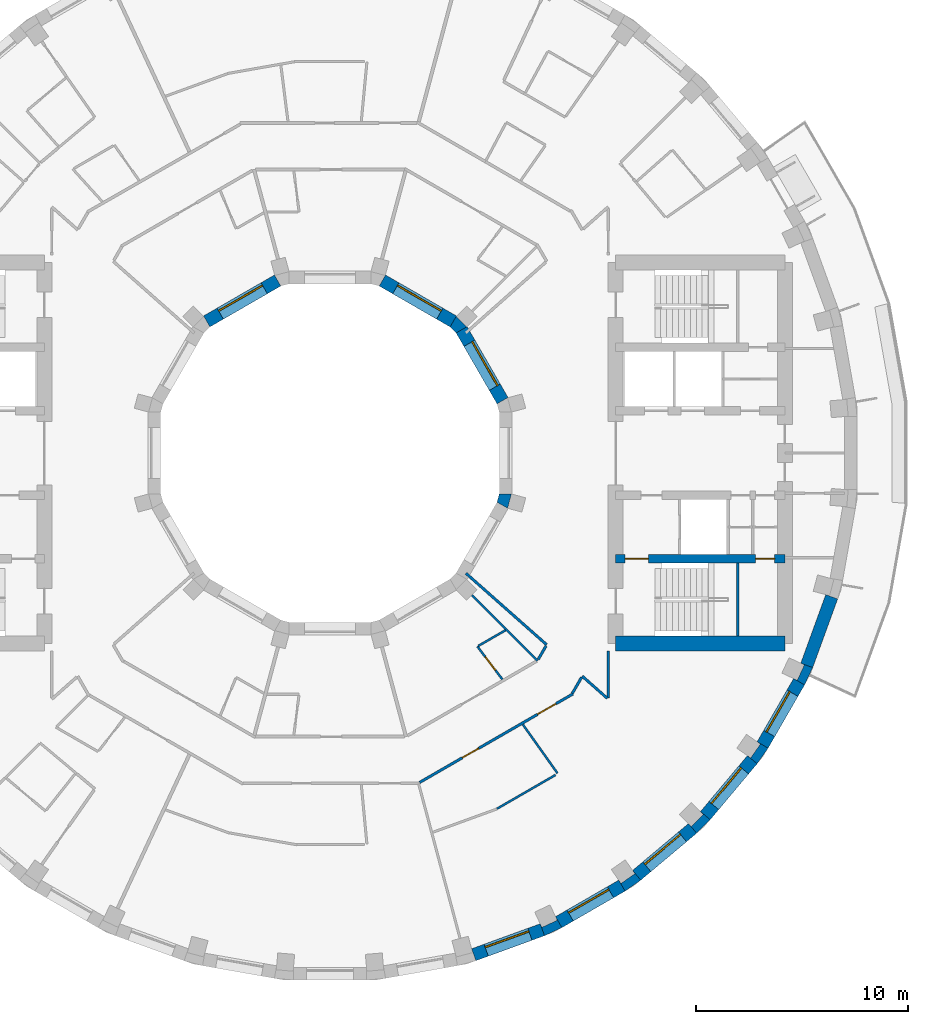
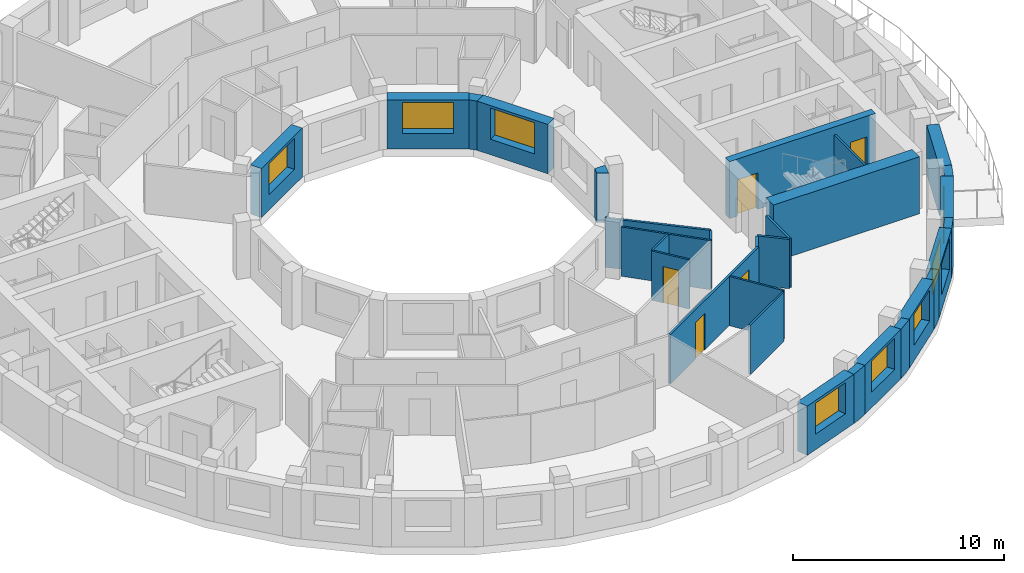
# One storey, part 5 of 11: 30 walls, 8 windows, 5 doors, 13 openings.
"""IFC4 building model written with IfcOpenShell, lengths in metres."""

from ifc_helpers import new_model, si_unit, direction, frame, frame_2d, origin, place, context, subcontext, project, spatial, polyline, rectangle, outline, extrude, material, layer, layer_set, type_object, element, fill, save


model = new_model("IFC4")

# Units and contexts
model_context = context("Model", 3, precision=1e-05, world=origin(), true_north=direction((0.0, 1.0)))
body_context = subcontext(model_context, "Body", "Model", "MODEL_VIEW")
ifc_project = project(units=[si_unit("LENGTHUNIT", "METRE"), si_unit("AREAUNIT", "SQUARE_METRE"), si_unit("VOLUMEUNIT", "CUBIC_METRE"), si_unit("PLANEANGLEUNIT", "RADIAN"), si_unit("MASSUNIT", "GRAM", prefix="KILO")], contexts=[model_context])

# Site, building, storey
site_placement = place(None, origin())
site = spatial("IfcSite", under=ifc_project, at=site_placement, CompositionType="ELEMENT")
building_placement = place(site_placement, origin())
building = spatial("IfcBuilding", under=site, at=building_placement, Name="Saqina Gate Tower", CompositionType="ELEMENT")
storey_placement = place(building_placement, frame((0.0, 0.0, 183.89990234375)))
storey = spatial("IfcBuildingStorey", under=building, at=storey_placement, Name="L52", CompositionType="ELEMENT", Elevation=183.89990234375)

# Walls
ifc_material_1 = material(Name="Brick masonry (buff)", Category="masonry")
wall_type_1 = type_object("IfcWallType", Name="BRICK PIER COPING BUFF", PredefinedType="SOLIDWALL", material=ifc_material_1)
wall_1_placement = place(storey_placement, origin())
element("IfcWall", 1, at=wall_1_placement, inside=storey, type_object=wall_type_1, Name="Pier cap L52 column 30", PredefinedType="SOLIDWALL", context=body_context, shape_type="SweptSolid", body=[
    extrude(outline(polyline([(10.958740234375, -22.4306640625), (10.65869140625, -21.9111328125), (10.73779296875, -22.080810546875), (10.0126953125, -22.4189453125), (9.93359375, -22.249267578125), (10.138916015625, -22.81298828125), (10.958740234375, -22.4306640625)])), origin(), (0.0, 0.0, 1.0), 2.85009765625),
])
wall_2_placement = place(storey_placement, origin())
element("IfcWall", 2, at=wall_2_placement, inside=storey, type_object=wall_type_1, Name="Pier cap L52 column 31", PredefinedType="SOLIDWALL", context=body_context, shape_type="SweptSolid", body=[
    extrude(outline(polyline([(13.9462890625, -20.705810546875), (14.687255859375, -20.18701171875), (14.301513671875, -19.727294921875), (14.408935546875, -19.880859375), (13.753662109375, -20.339599609375), (13.646240234375, -20.186279296875), (13.9462890625, -20.705810546875)])), origin(), (0.0, 0.0, 1.0), 2.85009765625),
])
wall_3_placement = place(storey_placement, origin())
element("IfcWall", 3, at=wall_3_placement, inside=storey, type_object=wall_type_1, Name="Pier cap L52 column 32", PredefinedType="SOLIDWALL", context=body_context, shape_type="SweptSolid", body=[
    extrude(outline(polyline([(17.969482421875, -17.329833984375), (17.510009765625, -16.944091796875), (17.642333984375, -17.07666015625), (17.07666015625, -17.642333984375), (16.944091796875, -17.510009765625), (17.329833984375, -17.969482421875), (17.969482421875, -17.329833984375)])), origin(), (0.0, 0.0, 1.0), 2.85009765625),
])
wall_4_placement = place(storey_placement, origin())
element("IfcWall", 4, at=wall_4_placement, inside=storey, type_object=wall_type_1, Name="Pier cap L52 column 33", PredefinedType="SOLIDWALL", context=body_context, shape_type="SweptSolid", body=[
    extrude(outline(polyline([(20.18701171875, -14.687255859375), (20.705810546875, -13.9462890625), (20.186279296875, -13.646240234375), (20.339599609375, -13.753662109375), (19.880859375, -14.408935546875), (19.727294921875, -14.301513671875), (20.18701171875, -14.687255859375)])), origin(), (0.0, 0.0, 1.0), 2.85009765625),
])
wall_5_placement = place(storey_placement, origin())
element("IfcWall", 5, at=wall_5_placement, inside=storey, type_object=wall_type_1, Name="Pier cap L52 column 34", PredefinedType="SOLIDWALL", context=body_context, shape_type="SweptSolid", body=[
    extrude(outline(polyline([(22.81298828125, -10.138916015625), (22.249267578125, -9.93359375), (22.4189453125, -10.0126953125), (22.080810546875, -10.73779296875), (21.9111328125, -10.65869140625), (22.4306640625, -10.958740234375), (22.81298828125, -10.138916015625)])), origin(), (0.0, 0.0, 1.0), 2.85009765625),
])

# Wall, opening, window
ifc_material_2 = material(Name="Brick masonry (buff)", Category="masonry")
ifc_layer_1 = layer(ifc_material_2, 0.60009765625)
ifc_layer_set_1 = layer_set([ifc_layer_1], Name="FW-BRICK-BUFF")
wall_type_2 = type_object("IfcWallType", Name="FW-BRICK-BUFF", PredefinedType="SOLIDWALL", material=ifc_layer_set_1)
wall_6_placement = place(storey_placement, frame((6.79443359375, -23.7109375, 0.0), z_axis=(0.0, 0.0, 1.0), x_axis=(0.93968799822, 0.342032843455, 0.0)))
wall_6 = element("IfcWall", 6, at=wall_6_placement, inside=storey, type_object=wall_type_2, Name="Facade wall L52 facet 29", PredefinedType="SOLIDWALL", context=body_context, shape_type="SweptSolid", body=[
    extrude(rectangle(XDim=3.44970703125, YDim=0.60009765625, at=frame_2d((1.724853515625, 0.0))), origin(), (0.0, 0.0, 1.0), 2.85009765625),
])
opening_1_placement = place(wall_6_placement, frame((0.625, 0.0, 0.89990234375)))
opening_1 = element("IfcOpeningElement", 7, at=opening_1_placement, cuts=wall_6, Name="Opening G15-W21", PredefinedType="OPENING", context=body_context, shape_type="SweptSolid", body=[
    extrude(rectangle(XDim=2.199951171875, YDim=1.800048828125, at=frame_2d((1.10009765625, 0.89990234375))), frame((0.0, 0.31201171875, 0.0), z_axis=(0.0, -1.0, 0.0), x_axis=(1.0, 0.0, 0.0)), (0.0, 0.0, 1.0), 0.6240234375),
])
ifc_material_3 = material(Name="Aluminium glazing", Category="aluminium")
window_type_1 = type_object("IfcWindowType", Name="WN-C", PartitioningType="SINGLE_PANEL", PredefinedType="WINDOW", material=ifc_material_3)
window_1_placement = place(opening_1_placement, origin())
window_1 = element("IfcWindow", 8, at=window_1_placement, inside=storey, type_object=window_type_1, Name="Window L52 facet 29", OverallHeight=1.800048828125, OverallWidth=2.199951171875, PartitioningType="SINGLE_PANEL", PredefinedType="WINDOW", context=body_context, shape_type="SweptSolid", body=[
    extrude(rectangle(XDim=2.199951171875, YDim=1.800048828125, at=frame_2d((1.10009765625, 0.89990234375))), frame((0.0, 0.179931640625, 0.0), z_axis=(0.0, -1.0, 0.0), x_axis=(1.0, 0.0, 0.0)), (0.0, 0.0, 1.0), 0.06005859375),
])
fill(opening_1, window_1)

wall_7_placement = place(storey_placement, frame((10.80859375, -22.1708984375, 0.0), z_axis=(0.0, 0.0, 1.0), x_axis=(0.86602648383, 0.499998129301, 0.0)))
wall_7 = element("IfcWall", 9, at=wall_7_placement, inside=storey, type_object=wall_type_2, Name="Facade wall L52 facet 30", PredefinedType="SOLIDWALL", context=body_context, shape_type="SweptSolid", body=[
    extrude(rectangle(XDim=3.44970703125, YDim=0.60009765625, at=frame_2d((1.724853515625, 0.0))), origin(), (0.0, 0.0, 1.0), 2.85009765625),
])
opening_2_placement = place(wall_7_placement, frame((0.625, 0.0, 0.89990234375)))
opening_2 = element("IfcOpeningElement", 10, at=opening_2_placement, cuts=wall_7, Name="Opening G15-W22", PredefinedType="OPENING", context=body_context, shape_type="SweptSolid", body=[
    extrude(rectangle(XDim=2.199951171875, YDim=1.800048828125, at=frame_2d((1.10009765625, 0.89990234375))), frame((0.0, 0.31201171875, 0.0), z_axis=(0.0, -1.0, 0.0), x_axis=(1.0, 0.0, 0.0)), (0.0, 0.0, 1.0), 0.6240234375),
])
window_2_placement = place(opening_2_placement, origin())
window_2 = element("IfcWindow", 11, at=window_2_placement, inside=storey, type_object=window_type_1, Name="Window L52 facet 30", OverallHeight=1.800048828125, OverallWidth=2.199951171875, PartitioningType="SINGLE_PANEL", PredefinedType="WINDOW", context=body_context, shape_type="SweptSolid", body=[
    extrude(rectangle(XDim=2.199951171875, YDim=1.800048828125, at=frame_2d((1.10009765625, 0.89990234375))), frame((0.0, 0.179931640625, 0.0), z_axis=(0.0, -1.0, 0.0), x_axis=(1.0, 0.0, 0.0)), (0.0, 0.0, 1.0), 0.06005859375),
])
fill(opening_2, window_2)

wall_8_placement = place(storey_placement, frame((14.494384765625, -19.95703125, 0.0), z_axis=(0.0, 0.0, 1.0), x_axis=(0.766058884809, 0.642770398358, 0.0)))
wall_8 = element("IfcWall", 12, at=wall_8_placement, inside=storey, type_object=wall_type_2, Name="Facade wall L52 facet 31", PredefinedType="SOLIDWALL", context=body_context, shape_type="SweptSolid", body=[
    extrude(rectangle(XDim=3.449462890625, YDim=0.60009765625, at=frame_2d((1.724609375, 0.0))), origin(), (0.0, 0.0, 1.0), 2.85009765625),
])
opening_3_placement = place(wall_8_placement, frame((0.625, 0.0, 0.89990234375)))
opening_3 = element("IfcOpeningElement", 13, at=opening_3_placement, cuts=wall_8, Name="Opening G15-W23", PredefinedType="OPENING", context=body_context, shape_type="SweptSolid", body=[
    extrude(rectangle(XDim=2.199951171875, YDim=1.800048828125, at=frame_2d((1.10009765625, 0.89990234375))), frame((0.0, 0.31201171875, 0.0), z_axis=(0.0, -1.0, 0.0), x_axis=(1.0, 0.0, 0.0)), (0.0, 0.0, 1.0), 0.6240234375),
])
window_3_placement = place(opening_3_placement, origin())
window_3 = element("IfcWindow", 14, at=window_3_placement, inside=storey, type_object=window_type_1, Name="Window L52 facet 31", OverallHeight=1.800048828125, OverallWidth=2.199951171875, PartitioningType="SINGLE_PANEL", PredefinedType="WINDOW", context=body_context, shape_type="SweptSolid", body=[
    extrude(rectangle(XDim=2.199951171875, YDim=1.800048828125, at=frame_2d((1.10009765625, 0.89990234375))), frame((0.0, 0.179931640625, 0.0), z_axis=(0.0, -1.0, 0.0), x_axis=(1.0, 0.0, 0.0)), (0.0, 0.0, 1.0), 0.06005859375),
])
fill(opening_3, window_3)

wall_9_placement = place(storey_placement, frame((17.73974609375, -17.136962890625, 0.0), z_axis=(0.0, 0.0, 1.0), x_axis=(0.642770398358, 0.766058884809, 0.0)))
wall_9 = element("IfcWall", 15, at=wall_9_placement, inside=storey, type_object=wall_type_2, Name="Facade wall L52 facet 32", PredefinedType="SOLIDWALL", context=body_context, shape_type="SweptSolid", body=[
    extrude(rectangle(XDim=3.449462890625, YDim=0.60009765625, at=frame_2d((1.724609375, 0.0))), origin(), (0.0, 0.0, 1.0), 2.85009765625),
])
opening_4_placement = place(wall_9_placement, frame((0.625, 0.0, 0.89990234375)))
opening_4 = element("IfcOpeningElement", 16, at=opening_4_placement, cuts=wall_9, Name="Opening G15-W24", PredefinedType="OPENING", context=body_context, shape_type="SweptSolid", body=[
    extrude(rectangle(XDim=2.199951171875, YDim=1.800048828125, at=frame_2d((1.10009765625, 0.89990234375))), frame((0.0, 0.31201171875, 0.0), z_axis=(0.0, -1.0, 0.0), x_axis=(1.0, 0.0, 0.0)), (0.0, 0.0, 1.0), 0.6240234375),
])
window_4_placement = place(opening_4_placement, origin())
window_4 = element("IfcWindow", 17, at=window_4_placement, inside=storey, type_object=window_type_1, Name="Window L52 facet 32", OverallHeight=1.800048828125, OverallWidth=2.199951171875, PartitioningType="SINGLE_PANEL", PredefinedType="WINDOW", context=body_context, shape_type="SweptSolid", body=[
    extrude(rectangle(XDim=2.199951171875, YDim=1.800048828125, at=frame_2d((1.10009765625, 0.89990234375))), frame((0.0, 0.179931640625, 0.0), z_axis=(0.0, -1.0, 0.0), x_axis=(1.0, 0.0, 0.0)), (0.0, 0.0, 1.0), 0.06005859375),
])
fill(opening_4, window_4)

wall_10_placement = place(storey_placement, frame((20.446044921875, -13.796142578125, 0.0), z_axis=(0.0, 0.0, 1.0), x_axis=(0.499998129301, 0.86602648383, 0.0)))
wall_10 = element("IfcWall", 18, at=wall_10_placement, inside=storey, type_object=wall_type_2, Name="Facade wall L52 facet 33", PredefinedType="SOLIDWALL", context=body_context, shape_type="SweptSolid", body=[
    extrude(rectangle(XDim=3.44970703125, YDim=0.60009765625, at=frame_2d((1.724853515625, 0.0))), origin(), (0.0, 0.0, 1.0), 2.85009765625),
])
opening_5_placement = place(wall_10_placement, frame((0.625, 0.0, 0.89990234375)))
opening_5 = element("IfcOpeningElement", 19, at=opening_5_placement, cuts=wall_10, Name="Opening G15-W25", PredefinedType="OPENING", context=body_context, shape_type="SweptSolid", body=[
    extrude(rectangle(XDim=2.199951171875, YDim=1.800048828125, at=frame_2d((1.10009765625, 0.89990234375))), frame((0.0, 0.31201171875, 0.0), z_axis=(0.0, -1.0, 0.0), x_axis=(1.0, 0.0, 0.0)), (0.0, 0.0, 1.0), 0.6240234375),
])
window_5_placement = place(opening_5_placement, origin())
window_5 = element("IfcWindow", 20, at=window_5_placement, inside=storey, type_object=window_type_1, Name="Window L52 facet 33", OverallHeight=1.800048828125, OverallWidth=2.199951171875, PartitioningType="SINGLE_PANEL", PredefinedType="WINDOW", context=body_context, shape_type="SweptSolid", body=[
    extrude(rectangle(XDim=2.199951171875, YDim=1.800048828125, at=frame_2d((1.10009765625, 0.89990234375))), frame((0.0, 0.179931640625, 0.0), z_axis=(0.0, -1.0, 0.0), x_axis=(1.0, 0.0, 0.0)), (0.0, 0.0, 1.0), 0.06005859375),
])
fill(opening_5, window_5)

# Wall
ifc_material_4 = material(Name="Glazed ceramic tile (dark blue)", Category="ceramic")
ifc_layer_2 = layer(ifc_material_4, 0.60009765625)
ifc_layer_set_2 = layer_set([ifc_layer_2], Name="FW-TILE-CB")
wall_type_3 = type_object("IfcWallType", Name="FW-TILE-CB", PredefinedType="SOLIDWALL", material=ifc_layer_set_2)
wall_11_placement = place(storey_placement, frame((22.531005859375, -10.0361328125, 0.0), z_axis=(0.0, 0.0, 1.0), x_axis=(0.342032843455, 0.93968799822, 0.0)))
element("IfcWall", 21, at=wall_11_placement, inside=storey, type_object=wall_type_3, Name="Facade wall L52 facet 34", PredefinedType="SOLIDWALL", context=body_context, shape_type="SweptSolid", body=[
    extrude(rectangle(XDim=3.44970703125, YDim=0.60009765625, at=frame_2d((1.724853515625, 0.0))), origin(), (0.0, 0.0, 1.0), 2.85009765625),
])

# Wall, opening, window
ifc_material_5 = material(Name="Glazed ceramic tile", Category="ceramic")
ifc_layer_3 = layer(ifc_material_5, 0.60009765625)
ifc_layer_set_3 = layer_set([ifc_layer_3], Name="IW-TILE")
wall_type_4 = type_object("IfcWallType", Name="IW-TILE", PredefinedType="SOLIDWALL", material=ifc_layer_set_3)
wall_12_placement = place(storey_placement, frame((8.155517578125, 2.474365234375, 0.0), z_axis=(0.0, 0.0, 1.0), x_axis=(-0.500033728941, 0.866005929495, 0.0)))
wall_12 = element("IfcWall", 22, at=wall_12_placement, inside=storey, type_object=wall_type_4, Name="Well wall L52 facet 1", PredefinedType="SOLIDWALL", context=body_context, shape_type="SweptSolid", body=[
    extrude(rectangle(XDim=3.869873046875, YDim=0.60009765625, at=frame_2d((1.93505859375, 0.0))), origin(), (0.0, 0.0, 1.0), 2.85009765625),
])
opening_6_placement = place(wall_12_placement, frame((0.73486328125, 0.0, 0.89990234375)))
opening_6 = element("IfcOpeningElement", 23, at=opening_6_placement, cuts=wall_12, Name="Opening G15-W26", PredefinedType="OPENING", context=body_context, shape_type="SweptSolid", body=[
    extrude(rectangle(XDim=2.39990234375, YDim=1.800048828125, at=frame_2d((1.199951171875, 0.89990234375))), frame((0.0, 0.31201171875, 0.0), z_axis=(0.0, -1.0, 0.0), x_axis=(1.0, 0.0, 0.0)), (0.0, 0.0, 1.0), 0.6240234375),
])
ifc_material_6 = material(Name="Aluminium glazing", Category="aluminium")
window_type_2 = type_object("IfcWindowType", Name="WN-W", PartitioningType="SINGLE_PANEL", PredefinedType="WINDOW", material=ifc_material_6)
window_6_placement = place(opening_6_placement, origin())
window_6 = element("IfcWindow", 24, at=window_6_placement, inside=storey, type_object=window_type_2, Name="Well window L52 facet 1", OverallHeight=1.800048828125, OverallWidth=2.39990234375, PartitioningType="SINGLE_PANEL", PredefinedType="WINDOW", context=body_context, shape_type="SweptSolid", body=[
    extrude(rectangle(XDim=2.39990234375, YDim=1.800048828125, at=frame_2d((1.199951171875, 0.89990234375))), frame((0.0, -0.119873046875, 0.0), z_axis=(0.0, -1.0, 0.0), x_axis=(1.0, 0.0, 0.0)), (0.0, 0.0, 1.0), 0.06005859375),
])
fill(opening_6, window_6)

wall_13_placement = place(storey_placement, frame((5.82568359375, 6.220458984375, 0.0), z_axis=(0.0, 0.0, 1.0), x_axis=(-0.866005929495, 0.500033728941, 0.0)))
wall_13 = element("IfcWall", 25, at=wall_13_placement, inside=storey, type_object=wall_type_4, Name="Well wall L52 facet 2", PredefinedType="SOLIDWALL", context=body_context, shape_type="SweptSolid", body=[
    extrude(rectangle(XDim=3.869873046875, YDim=0.60009765625, at=frame_2d((1.93505859375, 0.0))), origin(), (0.0, 0.0, 1.0), 2.85009765625),
])
opening_7_placement = place(wall_13_placement, frame((0.73486328125, 0.0, 0.89990234375)))
opening_7 = element("IfcOpeningElement", 26, at=opening_7_placement, cuts=wall_13, Name="Opening G15-W27", PredefinedType="OPENING", context=body_context, shape_type="SweptSolid", body=[
    extrude(rectangle(XDim=2.39990234375, YDim=1.800048828125, at=frame_2d((1.199951171875, 0.89990234375))), frame((0.0, 0.31201171875, 0.0), z_axis=(0.0, -1.0, 0.0), x_axis=(1.0, 0.0, 0.0)), (0.0, 0.0, 1.0), 0.6240234375),
])
window_7_placement = place(opening_7_placement, origin())
window_7 = element("IfcWindow", 27, at=window_7_placement, inside=storey, type_object=window_type_2, Name="Well window L52 facet 2", OverallHeight=1.800048828125, OverallWidth=2.39990234375, PartitioningType="SINGLE_PANEL", PredefinedType="WINDOW", context=body_context, shape_type="SweptSolid", body=[
    extrude(rectangle(XDim=2.39990234375, YDim=1.800048828125, at=frame_2d((1.199951171875, 0.89990234375))), frame((0.0, -0.119873046875, 0.0), z_axis=(0.0, -1.0, 0.0), x_axis=(1.0, 0.0, 0.0)), (0.0, 0.0, 1.0), 0.06005859375),
])
fill(opening_7, window_7)

wall_14_placement = place(storey_placement, frame((-2.474365234375, 8.155517578125, 0.0), z_axis=(0.0, 0.0, 1.0), x_axis=(-0.866005929495, -0.500033728941, 0.0)))
wall_14 = element("IfcWall", 28, at=wall_14_placement, inside=storey, type_object=wall_type_4, Name="Well wall L52 facet 4", PredefinedType="SOLIDWALL", context=body_context, shape_type="SweptSolid", body=[
    extrude(rectangle(XDim=3.869873046875, YDim=0.60009765625, at=frame_2d((1.93505859375, 0.0))), origin(), (0.0, 0.0, 1.0), 2.85009765625),
])
opening_8_placement = place(wall_14_placement, frame((0.73486328125, 0.0, 0.89990234375)))
opening_8 = element("IfcOpeningElement", 29, at=opening_8_placement, cuts=wall_14, Name="Opening G15-W29", PredefinedType="OPENING", context=body_context, shape_type="SweptSolid", body=[
    extrude(rectangle(XDim=2.39990234375, YDim=1.800048828125, at=frame_2d((1.199951171875, 0.89990234375))), frame((0.0, 0.31201171875, 0.0), z_axis=(0.0, -1.0, 0.0), x_axis=(1.0, 0.0, 0.0)), (0.0, 0.0, 1.0), 0.6240234375),
])
window_8_placement = place(opening_8_placement, origin())
window_8 = element("IfcWindow", 30, at=window_8_placement, inside=storey, type_object=window_type_2, Name="Well window L52 facet 4", OverallHeight=1.800048828125, OverallWidth=2.39990234375, PartitioningType="SINGLE_PANEL", PredefinedType="WINDOW", context=body_context, shape_type="SweptSolid", body=[
    extrude(rectangle(XDim=2.39990234375, YDim=1.800048828125, at=frame_2d((1.199951171875, 0.89990234375))), frame((0.0, -0.119873046875, 0.0), z_axis=(0.0, -1.0, 0.0), x_axis=(1.0, 0.0, 0.0)), (0.0, 0.0, 1.0), 0.06005859375),
])
fill(opening_8, window_8)

# Wall
ifc_material_7 = material(Name="Gypsum board on steel studs, 100 mm", Category="steel")
ifc_layer_4 = layer(ifc_material_7, 0.10009765625)
ifc_layer_set_4 = layer_set([ifc_layer_4], Name="PARTITION 100")
wall_type_5 = type_object("IfcWallType", Name="PARTITION 100", PredefinedType="PARTITIONING", material=ifc_layer_set_4)
wall_15_placement = place(storey_placement, frame((9.111083984375, -12.824951171875, 0.0), z_axis=(0.0, 0.0, 1.0), x_axis=(0.579255360371, -0.815146138727, 0.0)))
element("IfcWall", 31, at=wall_15_placement, inside=storey, type_object=wall_type_5, Name="PARTITION PW3-10", PredefinedType="PARTITIONING", context=body_context, shape_type="SweptSolid", body=[
    extrude(rectangle(XDim=2.832763671875, YDim=0.10009765625, at=frame_2d((1.41650390625, 0.0))), origin(), (0.0, 0.0, 1.0), 2.85009765625),
])

# Wall, opening, door
wall_16_placement = place(storey_placement, frame((6.965087890625, -9.14208984375, 0.0), z_axis=(0.0, 0.0, 1.0), x_axis=(0.606001795315, -0.795463276383, 0.0)))
wall_16 = element("IfcWall", 32, at=wall_16_placement, inside=storey, type_object=wall_type_5, Name="PARTITION PW3-11", PredefinedType="PARTITIONING", context=body_context, shape_type="SweptSolid", body=[
    extrude(rectangle(XDim=1.95361328125, YDim=0.10009765625, at=frame_2d((0.976806640625, 0.0))), origin(), (0.0, 0.0, 1.0), 2.85009765625),
])
opening_9_placement = place(wall_16_placement, frame((0.608154296875, 0.0, 0.0)))
opening_9 = element("IfcOpeningElement", 33, at=opening_9_placement, cuts=wall_16, Name="Opening G15-D36", PredefinedType="OPENING", context=body_context, shape_type="SweptSolid", body=[
    extrude(rectangle(XDim=0.800048828125, YDim=2.10009765625, at=frame_2d((0.39990234375, 1.050048828125))), frame((0.0, 0.06201171875, 0.0), z_axis=(0.0, -1.0, 0.0), x_axis=(1.0, 0.0, 0.0)), (0.0, 0.0, 1.0), 0.1240234375),
])
ifc_material_8 = material(Name="Timber door leaf, 800 mm", Category="wood")
door_type_1 = type_object("IfcDoorType", Name="DOOR 800 TIMBER", OperationType="SINGLE_SWING_LEFT", PredefinedType="DOOR", material=ifc_material_8)
door_1_placement = place(opening_9_placement, frame((0.800048828125, 0.0, 0.0), z_axis=(0.0, 0.0, 1.0), x_axis=(-1.0, 0.0, 0.0)))
door_1 = element("IfcDoor", 34, at=door_1_placement, inside=storey, type_object=door_type_1, Name="DOOR G15-D36", OperationType="SINGLE_SWING_LEFT", OverallHeight=2.10009765625, OverallWidth=0.800048828125, PredefinedType="DOOR", context=body_context, shape_type="SweptSolid", body=[
    extrude(rectangle(XDim=0.800048828125, YDim=2.10009765625, at=frame_2d((0.39990234375, 1.050048828125))), frame((0.0, 0.02490234375, 0.0), z_axis=(0.0, -1.0, 0.0), x_axis=(1.0, 0.0, 0.0)), (0.0, 0.0, 1.0), 0.050048828125),
])
fill(opening_9, door_1)

# Walls
wall_17_placement = place(storey_placement, frame((6.7119140625, -6.7119140625, 0.0), z_axis=(0.0, 0.0, 1.0), x_axis=(0.707106781187, -0.707106781187, 0.0)))
element("IfcWall", 35, at=wall_17_placement, inside=storey, type_object=wall_type_5, Name="PARTITION PW3-17", PredefinedType="PARTITIONING", context=body_context, shape_type="SweptSolid", body=[
    extrude(rectangle(XDim=4.380126953125, YDim=0.10009765625, at=frame_2d((2.18994140625, 0.0))), origin(), (0.0, 0.0, 1.0), 2.85009765625),
])
wall_18_placement = place(storey_placement, frame((7.893310546875, -16.81005859375, 0.0), z_axis=(0.0, 0.0, 1.0), x_axis=(0.866014687101, 0.50001856138, 0.0)))
element("IfcWall", 36, at=wall_18_placement, inside=storey, type_object=wall_type_5, Name="PARTITION PW3-39", PredefinedType="PARTITIONING", context=body_context, shape_type="SweptSolid", body=[
    extrude(rectangle(XDim=3.18798828125, YDim=0.10009765625, at=frame_2d((1.593994140625, 0.0))), origin(), (0.0, 0.0, 1.0), 2.85009765625),
])
wall_19_placement = place(storey_placement, frame((7.00830078125, -9.116943359375, 0.0), z_axis=(0.0, 0.0, 1.0), x_axis=(0.866011369566, 0.500024307192, 0.0)))
element("IfcWall", 37, at=wall_19_placement, inside=storey, type_object=wall_type_5, Name="PARTITION PW3-40", PredefinedType="PARTITIONING", context=body_context, shape_type="SweptSolid", body=[
    extrude(rectangle(XDim=1.49365234375, YDim=0.10009765625, at=frame_2d((0.746826171875, 0.0))), origin(), (0.0, 0.0, 1.0), 2.85009765625),
])
ifc_material_9 = material(Name="Gypsum board on steel studs, 125 mm, fire rated", Category="steel")
ifc_layer_5 = layer(ifc_material_9, 0.125)
ifc_layer_set_5 = layer_set([ifc_layer_5], Name="PARTITION EI 30 125")
wall_type_6 = type_object("IfcWallType", Name="PARTITION EI 30 125", PredefinedType="PARTITIONING", material=ifc_layer_set_5)
wall_20_placement = place(storey_placement, frame((11.922607421875, -10.546875, 0.0), z_axis=(0.0, 0.0, 1.0), x_axis=(0.749268344005, -0.662266523895, 0.0)))
element("IfcWall", 38, at=wall_20_placement, inside=storey, type_object=wall_type_6, Name="PARTITION PW1-08", PredefinedType="PARTITIONING", context=body_context, shape_type="SweptSolid", body=[
    extrude(rectangle(XDim=1.5771484375, YDim=0.125, at=frame_2d((0.78857421875, 0.0))), origin(), (0.0, 0.0, 1.0), 2.85009765625),
])
wall_21_placement = place(storey_placement, frame((6.419921875, -5.679931640625, 0.0), z_axis=(0.0, 0.0, 1.0), x_axis=(0.748964600862, -0.662610010983, 0.0)))
element("IfcWall", 39, at=wall_21_placement, inside=storey, type_object=wall_type_6, Name="PARTITION PW1-11", PredefinedType="PARTITIONING", context=body_context, shape_type="SweptSolid", body=[
    extrude(rectangle(XDim=5.10302734375, YDim=0.125, at=frame_2d((2.551513671875, 0.0))), origin(), (0.0, 0.0, 1.0), 2.85009765625),
])

# Wall, openings, doors
wall_22_placement = place(storey_placement, frame((4.234130859375, -15.56884765625, 0.0), z_axis=(0.0, 0.0, 1.0), x_axis=(0.866024799292, 0.50000104701, 0.0)))
wall_22 = element("IfcWall", 40, at=wall_22_placement, inside=storey, type_object=wall_type_6, Name="PARTITION PW1-24", PredefinedType="PARTITIONING", context=body_context, shape_type="SweptSolid", body=[
    extrude(rectangle(XDim=8.36962890625, YDim=0.125, at=frame_2d((4.184814453125, 0.0))), origin(), (0.0, 0.0, 1.0), 2.85009765625),
])
opening_10_placement = place(wall_22_placement, frame((2.327880859375, 0.0, 0.0)))
opening_10 = element("IfcOpeningElement", 41, at=opening_10_placement, cuts=wall_22, Name="Opening G15-D34", PredefinedType="OPENING", context=body_context, shape_type="SweptSolid", body=[
    extrude(rectangle(XDim=0.89990234375, YDim=2.10009765625, at=frame_2d((0.449951171875, 1.050048828125))), frame((0.0, 0.074462890625, 0.0), z_axis=(0.0, -1.0, 0.0), x_axis=(1.0, 0.0, 0.0)), (0.0, 0.0, 1.0), 0.14892578125),
])
opening_11_placement = place(wall_22_placement, frame((6.4423828125, 0.0, 0.0)))
opening_11 = element("IfcOpeningElement", 42, at=opening_11_placement, cuts=wall_22, Name="Opening G15-D37", PredefinedType="OPENING", context=body_context, shape_type="SweptSolid", body=[
    extrude(rectangle(XDim=1.0, YDim=2.10009765625, at=frame_2d((0.5, 1.050048828125))), frame((0.0, 0.074462890625, 0.0), z_axis=(0.0, -1.0, 0.0), x_axis=(1.0, 0.0, 0.0)), (0.0, 0.0, 1.0), 0.14892578125),
])
ifc_material_10 = material(Name="Fire door leaf EI 30, 1000 mm")
door_type_2 = type_object("IfcDoorType", Name="DOOR 1000 EI 30", OperationType="SINGLE_SWING_LEFT", PredefinedType="DOOR", material=ifc_material_10)
door_2_placement = place(opening_11_placement, origin())
door_2 = element("IfcDoor", 43, at=door_2_placement, inside=storey, type_object=door_type_2, Name="DOOR G15-D37", OperationType="SINGLE_SWING_RIGHT", OverallHeight=2.10009765625, OverallWidth=1.0, PredefinedType="DOOR", context=body_context, shape_type="SweptSolid", body=[
    extrude(rectangle(XDim=1.0, YDim=2.10009765625, at=frame_2d((0.5, 1.050048828125))), frame((0.0, 0.02490234375, 0.0), z_axis=(0.0, -1.0, 0.0), x_axis=(1.0, 0.0, 0.0)), (0.0, 0.0, 1.0), 0.050048828125),
])
fill(opening_11, door_2)
ifc_material_11 = material(Name="Fire door leaf EI 30, 900 mm")
door_type_3 = type_object("IfcDoorType", Name="DOOR 900 EI 30", OperationType="SINGLE_SWING_LEFT", PredefinedType="DOOR", material=ifc_material_11)
door_3_placement = place(opening_10_placement, frame((0.89990234375, 0.0, 0.0), z_axis=(0.0, 0.0, 1.0), x_axis=(-1.0, 0.0, 0.0)))
door_3 = element("IfcDoor", 44, at=door_3_placement, inside=storey, type_object=door_type_3, Name="DOOR G15-D34", OperationType="SINGLE_SWING_RIGHT", OverallHeight=2.10009765625, OverallWidth=0.89990234375, PredefinedType="DOOR", context=body_context, shape_type="SweptSolid", body=[
    extrude(rectangle(XDim=0.89990234375, YDim=2.10009765625, at=frame_2d((0.449951171875, 1.050048828125))), frame((0.0, 0.02490234375, 0.0), z_axis=(0.0, -1.0, 0.0), x_axis=(1.0, 0.0, 0.0)), (0.0, 0.0, 1.0), 0.050048828125),
])
fill(opening_10, door_3)

# Walls
wall_23_placement = place(storey_placement, frame((9.84033203125, -9.7548828125, 0.0), z_axis=(0.0, 0.0, 1.0), x_axis=(0.500827895298, 0.86554689029, 0.0)))
element("IfcWall", 45, at=wall_23_placement, inside=storey, type_object=wall_type_6, Name="PARTITION PW1-39", PredefinedType="PARTITIONING", context=body_context, shape_type="SweptSolid", body=[
    extrude(rectangle(XDim=0.739013671875, YDim=0.125, at=frame_2d((0.36962890625, 0.0))), origin(), (0.0, 0.0, 1.0), 2.85009765625),
])
wall_24_placement = place(storey_placement, frame((11.44921875, -11.364990234375, 0.0), z_axis=(0.0, 0.0, 1.0), x_axis=(0.50016217861, 0.865931749671, 0.0)))
element("IfcWall", 46, at=wall_24_placement, inside=storey, type_object=wall_type_6, Name="PARTITION PW1-41", PredefinedType="PARTITIONING", context=body_context, shape_type="SweptSolid", body=[
    extrude(rectangle(XDim=0.881103515625, YDim=0.125, at=frame_2d((0.4404296875, 0.0))), origin(), (0.0, 0.0, 1.0), 2.85009765625),
])
wall_25_placement = place(storey_placement, frame((13.14990234375, -11.571533203125, 0.0), z_axis=(0.0, 0.0, 1.0), x_axis=(0.0, 1.0, 0.0)))
element("IfcWall", 47, at=wall_25_placement, inside=storey, type_object=wall_type_6, Name="PARTITION PW1-45", PredefinedType="PARTITIONING", context=body_context, shape_type="SweptSolid", body=[
    extrude(rectangle(XDim=2.221435546875, YDim=0.125, at=frame_2d((1.11083984375, 0.0))), origin(), (0.0, 0.0, 1.0), 2.85009765625),
])
ifc_material_12 = material(Name="Autoclaved aerated concrete block", Category="concrete")
ifc_layer_6 = layer(ifc_material_12, 0.10009765625)
ifc_layer_set_6 = layer_set([ifc_layer_6], Name="STAIR ENCLOSURE WALL")
wall_type_7 = type_object("IfcWallType", Name="STAIR ENCLOSURE WALL", PredefinedType="PARTITIONING", material=ifc_layer_set_6)
wall_26_placement = place(storey_placement, frame((19.27001953125, -8.64990234375, 0.0), z_axis=(0.0, 0.0, 1.0), x_axis=(0.0, 1.0, 0.0)))
element("IfcWall", 48, at=wall_26_placement, inside=storey, type_object=wall_type_7, Name="L52-CP-E14", PredefinedType="PARTITIONING", context=body_context, shape_type="SweptSolid", body=[
    extrude(rectangle(XDim=3.449951171875, YDim=0.10009765625, at=frame_2d((1.72509765625, 0.0))), origin(), (0.0, 0.0, 1.0), 2.85009765625),
])

# Wall, openings, doors
ifc_material_13 = material(Name="Concrete C60/75", Category="concrete")
ifc_layer_7 = layer(ifc_material_13, 0.39990234375)
ifc_layer_set_7 = layer_set([ifc_layer_7], Name="Concrete C60/75")
wall_type_8 = type_object("IfcWallType", Name="STR-CORE WALL-C-I", PredefinedType="SHEAR", material=ifc_layer_set_7)
wall_27_placement = place(storey_placement, frame((13.5, -5.0, 0.0), z_axis=(0.0, 0.0, 1.0), x_axis=(1.0, 0.0, 0.0)))
wall_27 = element("IfcWall", 49, at=wall_27_placement, inside=storey, type_object=wall_type_8, Name="CORE WALL L52 E-X2", PredefinedType="SHEAR", context=body_context, shape_type="SweptSolid", body=[
    extrude(rectangle(XDim=8.0, YDim=0.39990234375, at=frame_2d((4.0, 0.0))), origin(), (0.0, 0.0, 1.0), 3.300048828125),
])
opening_12_placement = place(wall_27_placement, frame((6.614990234375, 0.0, 0.0)))
opening_12 = element("IfcOpeningElement", 50, at=opening_12_placement, cuts=wall_27, Name="Opening G15-D101", PredefinedType="OPENING", context=body_context, shape_type="SweptSolid", body=[
    extrude(rectangle(XDim=0.89990234375, YDim=2.10009765625, at=frame_2d((0.449951171875, 1.050048828125))), frame((0.0, 0.2119140625, 0.0), z_axis=(0.0, -1.0, 0.0), x_axis=(1.0, 0.0, 0.0)), (0.0, 0.0, 1.0), 0.423828125),
])
opening_13_placement = place(wall_27_placement, frame((0.449951171875, 0.0, 0.0)))
opening_13 = element("IfcOpeningElement", 51, at=opening_13_placement, cuts=wall_27, Name="Opening G15-D102", PredefinedType="OPENING", context=body_context, shape_type="SweptSolid", body=[
    extrude(rectangle(XDim=1.10009765625, YDim=2.10009765625, at=frame_2d((0.550048828125, 1.050048828125))), frame((0.0, 0.2119140625, 0.0), z_axis=(0.0, -1.0, 0.0), x_axis=(1.0, 0.0, 0.0)), (0.0, 0.0, 1.0), 0.423828125),
])
ifc_material_14 = material(Name="Steel", Category="steel")
door_type_4 = type_object("IfcDoorType", Name="FIRE LOBBY DOOR EI 60 WIDE", OperationType="SINGLE_SWING_LEFT", PredefinedType="DOOR", material=ifc_material_14)
door_4_placement = place(opening_13_placement, frame((1.10009765625, 0.0, 0.0), z_axis=(0.0, 0.0, 1.0), x_axis=(-1.0, 0.0, 0.0)))
door_4 = element("IfcDoor", 52, at=door_4_placement, inside=storey, type_object=door_type_4, Name="L52-CD-E13", OperationType="SINGLE_SWING_RIGHT", OverallHeight=2.10009765625, OverallWidth=1.10009765625, PredefinedType="DOOR", context=body_context, shape_type="SweptSolid", body=[
    extrude(rectangle(XDim=1.10009765625, YDim=2.10009765625, at=frame_2d((0.550048828125, 1.050048828125))), frame((0.0, 0.02490234375, 0.0), z_axis=(0.0, -1.0, 0.0), x_axis=(1.0, 0.0, 0.0)), (0.0, 0.0, 1.0), 0.050048828125),
])
fill(opening_13, door_4)
ifc_material_15 = material(Name="Steel-framed fire door leaf, EI 60", Category="steel")
door_type_5 = type_object("IfcDoorType", Name="SERVICE ROOM DOOR 900", OperationType="SINGLE_SWING_LEFT", PredefinedType="DOOR", material=ifc_material_15)
door_5_placement = place(opening_12_placement, frame((0.89990234375, 0.0, 0.0), z_axis=(0.0, 0.0, 1.0), x_axis=(-1.0, 0.0, 0.0)))
door_5 = element("IfcDoor", 53, at=door_5_placement, inside=storey, type_object=door_type_5, Name="L52-CD-E12", OperationType="SINGLE_SWING_LEFT", OverallHeight=2.10009765625, OverallWidth=0.89990234375, PredefinedType="DOOR", context=body_context, shape_type="SweptSolid", body=[
    extrude(rectangle(XDim=0.89990234375, YDim=2.10009765625, at=frame_2d((0.449951171875, 1.050048828125))), frame((0.0, 0.02490234375, 0.0), z_axis=(0.0, -1.0, 0.0), x_axis=(1.0, 0.0, 0.0)), (0.0, 0.0, 1.0), 0.050048828125),
])
fill(opening_12, door_5)

# Walls
ifc_material_16 = material(Name="Concrete C60/75", Category="concrete")
ifc_layer_8 = layer(ifc_material_16, 0.699951171875)
ifc_layer_set_8 = layer_set([ifc_layer_8], Name="Concrete C60/75")
wall_type_9 = type_object("IfcWallType", Name="STR-CORE WALL-C-O", PredefinedType="SHEAR", material=ifc_layer_set_8)
wall_28_placement = place(storey_placement, frame((13.5, -9.0, 0.0), z_axis=(0.0, 0.0, 1.0), x_axis=(1.0, 0.0, 0.0)))
element("IfcWall", 54, at=wall_28_placement, inside=storey, type_object=wall_type_9, Name="CORE WALL L52 E-SE", PredefinedType="SHEAR", context=body_context, shape_type="SweptSolid", body=[
    extrude(rectangle(XDim=8.0, YDim=0.699951171875, at=frame_2d((4.0, 0.0))), origin(), (0.0, 0.0, 1.0), 3.300048828125),
])
ifc_material_17 = material(Name="Glazed ceramic tile", Category="ceramic")
wall_type_10 = type_object("IfcWallType", Name="TILE PIER COPING", PredefinedType="SOLIDWALL", material=ifc_material_17)
wall_29_placement = place(storey_placement, origin())
element("IfcWall", 55, at=wall_29_placement, inside=storey, type_object=wall_type_10, Name="Well pier cap L52 column 2", PredefinedType="SOLIDWALL", context=body_context, shape_type="SweptSolid", body=[
    extrude(outline(polyline([(5.96240234375, 6.45751953125), (5.67578125, 5.960693359375), (5.960693359375, 5.67578125), (6.45751953125, 5.96240234375), (5.96240234375, 6.45751953125)])), origin(), (0.0, 0.0, 1.0), 2.85009765625),
])
wall_30_placement = place(storey_placement, origin())
element("IfcWall", 56, at=wall_30_placement, inside=storey, type_object=wall_type_10, Name="Well pier cap L52 column 12", PredefinedType="SOLIDWALL", context=body_context, shape_type="SweptSolid", body=[
    extrude(outline(polyline([(8.573486328125, -1.934814453125), (8.0, -1.934814453125), (7.895751953125, -2.32421875), (8.392333984375, -2.611083984375), (8.573486328125, -1.934814453125)])), origin(), (0.0, 0.0, 1.0), 2.85009765625),
])

save(model, "model.ifc")
